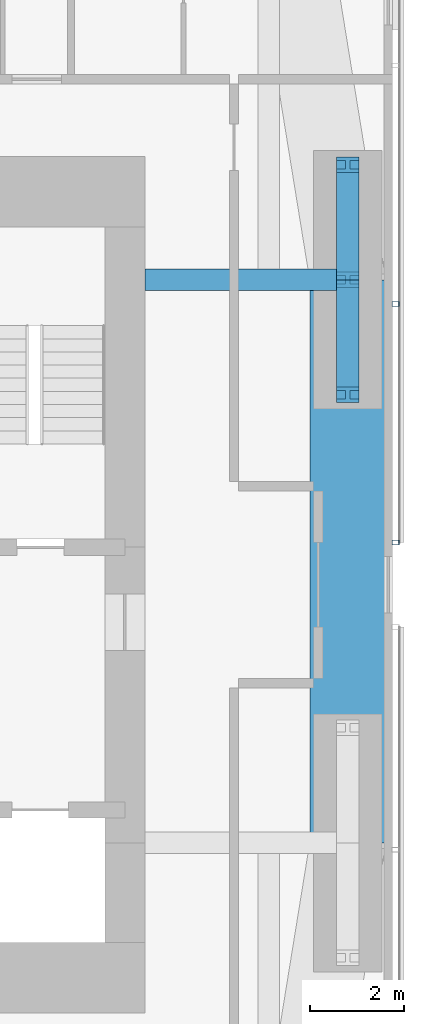
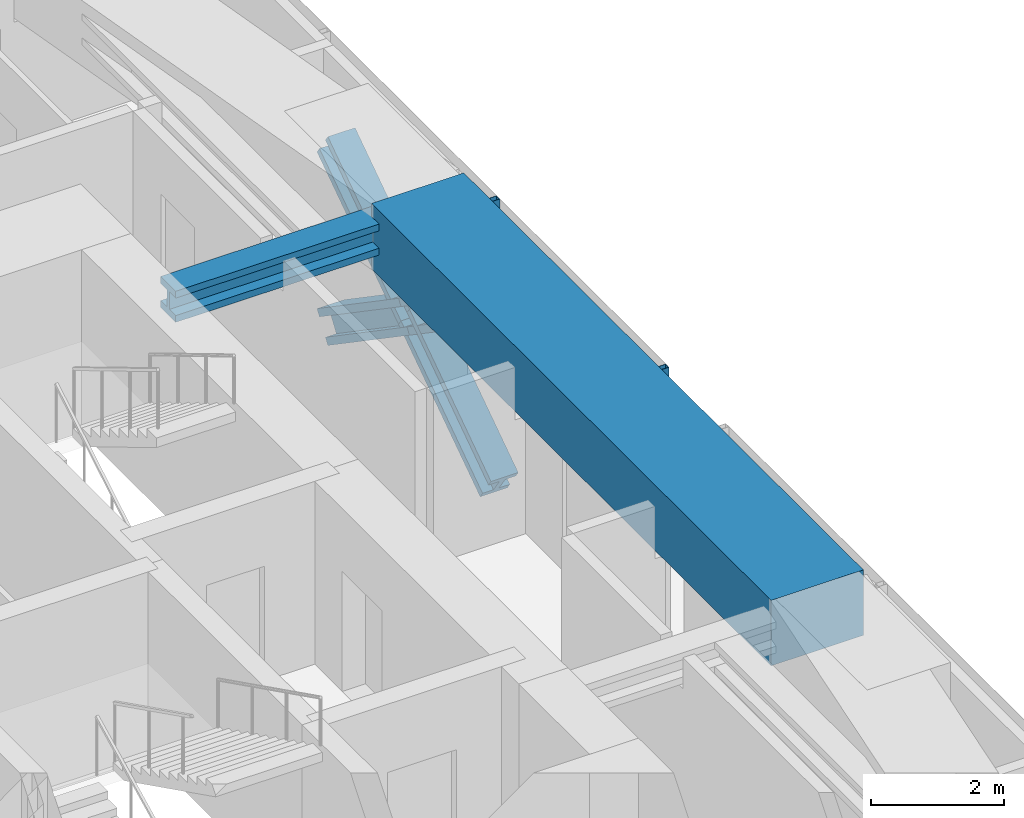
# One storey, part 9 of 24: 6 members, 2 beams, 1 element without a shape of its own.
"""IFC4 building model written with IfcOpenShell, lengths in metres."""

from ifc_helpers import new_model, si_unit, direction, frame, origin, origin_2d, place, context, subcontext, project, spatial, rectangle, hollow_rectangle, i_section, extrude, material, material_profile, profile_set, type_object, element, aggregate, save


model = new_model("IFC4")

# Units and contexts
model_context = context("Model", 3, precision=1e-05, world=origin(), true_north=direction((0.0, 1.0)))
body_context = subcontext(model_context, "Body", "Model", "MODEL_VIEW")
ifc_project = project(units=[si_unit("LENGTHUNIT", "METRE"), si_unit("AREAUNIT", "SQUARE_METRE"), si_unit("VOLUMEUNIT", "CUBIC_METRE"), si_unit("PLANEANGLEUNIT", "RADIAN"), si_unit("MASSUNIT", "GRAM", prefix="KILO")], contexts=[model_context])

# Site, building, storey
site_placement = place(None, origin())
site = spatial("IfcSite", under=ifc_project, at=site_placement, CompositionType="ELEMENT")
building_placement = place(site_placement, origin())
building = spatial("IfcBuilding", under=site, at=building_placement, Name="Jalousie Tower", CompositionType="ELEMENT")
storey_placement = place(building_placement, frame((0.0, 0.0, 91.449951171875)))
storey = spatial("IfcBuildingStorey", under=building, at=storey_placement, Name="L24", CompositionType="ELEMENT", Elevation=91.449951171875)

# Beam
ifc_material_1 = material(Name="Steel ASTM A992 Grade 50", Category="steel")
ifc_material_profile_1 = material_profile(ifc_material_1, i_section(OverallWidth=0.45458984375, OverallDepth=0.569091796875, WebThickness=0.077880859375, FlangeThickness=0.124755859375, at=origin_2d()), Name="W14X730")
ifc_profile_set_1 = profile_set([ifc_material_profile_1], Name="Steel ASTM A992 Grade 50")
beam_type_1 = type_object("IfcBeamType", Name="LEAN COLLECTOR W14X730", PredefinedType="BEAM", material=ifc_profile_set_1)
beam_1_placement = place(storey_placement, frame((48.550048828125, 25.0, 2.825439453125), z_axis=(-1.0, 0.0, 0.0), x_axis=(0.0, -1.0, 0.0)))
element("IfcBeam", 1, at=beam_1_placement, inside=storey, type_object=beam_type_1, Name="Lean collector under L25", PredefinedType="BEAM", context=body_context, shape_type="SweptSolid", body=[
    extrude(i_section(OverallWidth=0.45458984375, OverallDepth=0.569091796875, WebThickness=0.077880859375, FlangeThickness=0.124755859375, at=origin_2d()), origin(), (0.0, 0.0, 1.0), 4.324951171875),
])

# Members
ifc_material_2 = material(Name="Steel ASTM A992 Grade 50", Category="steel")
ifc_material_profile_2 = material_profile(ifc_material_2, i_section(OverallWidth=0.472412109375, OverallDepth=0.5791015625, WebThickness=0.094970703125, FlangeThickness=0.1298828125, at=origin_2d()), Name="W14X808")
ifc_profile_set_2 = profile_set([ifc_material_profile_2], Name="Steel ASTM A992 Grade 50")
member_type_1 = type_object("IfcMemberType", Name="PERIMETER BRACE W14X808", PredefinedType="BRACE", material=ifc_profile_set_2)
for number, where, z_axis, x_axis, name in (
    (2, (48.550048828125, 22.550048828125, -0.599853515625), (0.0, 0.825539243753, 0.564344714713), (-1.0, 0.0, 0.0), "Perimeter brace 07 L24 part 1"),
    (3, (48.550048828125, 25.0, 1.074951171875), (0.0, 0.825500916831, 0.564400776321), (-1.0, 0.0, 0.0), "Perimeter brace 07 L24 part 2"),
    (4, (48.550048828125, 27.449951171875, -0.599853515625), (0.0, -0.825539243753, 0.564344714713), (1.0, 0.0, 0.0), "Perimeter brace 07 L24 part 3"),
    (5, (48.550048828125, 25.0, 1.074951171875), (0.0, -0.825500916831, 0.564400776321), (1.0, 0.0, 0.0), "Perimeter brace 07 L24 part 4"),
):
    element("IfcMember", number, at=place(storey_placement, frame(where, z_axis=z_axis, x_axis=x_axis)), inside=storey, type_object=member_type_1, Name=name, PredefinedType="BRACE", context=body_context, shape_type="SweptSolid", body=[
        extrude(i_section(OverallWidth=0.472412109375, OverallDepth=0.5791015625, WebThickness=0.094970703125, FlangeThickness=0.1298828125, at=origin_2d()), origin(), (0.0, 0.0, 1.0), 2.9677734375),
    ])

# Beam
ifc_material_3 = material(Name="Concrete f'c 40 MPa", Category="concrete")
ifc_material_profile_3 = material_profile(ifc_material_3, rectangle(XDim=1.60009765625, YDim=1.199951171875, at=origin_2d()), Name="RC 1600x1200")
ifc_profile_set_3 = profile_set([ifc_material_profile_3], Name="Concrete f'c 40 MPa")
beam_type_2 = type_object("IfcBeamType", Name="RC BEAM 1600x1200", PredefinedType="BEAM", material=ifc_profile_set_3)
beam_2_placement = place(storey_placement, frame((48.550048828125, 13.0, 2.75), z_axis=(0.0, 1.0, 0.0), x_axis=(-1.0, 0.0, 0.0)))
element("IfcBeam", 6, at=beam_2_placement, inside=storey, type_object=beam_type_2, Name="Edge band beam 06-07 under L25", PredefinedType="BEAM", context=body_context, shape_type="SweptSolid", body=[
    extrude(rectangle(XDim=1.60009765625, YDim=1.199951171875, at=origin_2d()), origin(), (0.0, 0.0, 1.0), 12.0),
])

# Curtain wall, members
ifc_material_4 = material(Name="Perforated aluminium sheet", Category="aluminium")
curtain_wall_type = type_object("IfcCurtainWallType", Name="SOLAR SCREEN SS-1", PredefinedType="USERDEFINED", material=ifc_material_4)
curtain_wall_placement = place(storey_placement, origin())
curtain_wall = element("IfcCurtainWall", 7, at=curtain_wall_placement, inside=storey, type_object=curtain_wall_type, Name="Solar screen L24", ObjectType="SOLAR SCREEN SS-1", PredefinedType="USERDEFINED")
ifc_material_5 = material(Name="Steel ASTM A500 Grade C", Category="steel")
ifc_material_profile_4 = material_profile(ifc_material_5, hollow_rectangle(XDim=0.1015625, YDim=0.15234375, WallThickness=0.00634765625, at=origin_2d()), Name="HSS6X4X1/4")
ifc_profile_set_4 = profile_set([ifc_material_profile_4], Name="Steel ASTM A500 Grade C")
member_type_2 = type_object("IfcMemberType", Name="SOLAR SCREEN SS-1 MULLION", PredefinedType="MULLION", material=ifc_profile_set_4)
member_1_placement = place(storey_placement, frame((49.5712890625, 19.39990234375, -0.119873046875), z_axis=(0.0, 0.0, 1.0), x_axis=(0.0, 1.0, 0.0)))
member_1 = element("IfcMember", 8, at=member_1_placement, type_object=member_type_2, Name="SS1 post 1", PredefinedType="MULLION", context=body_context, shape_type="SweptSolid", body=[
    extrude(hollow_rectangle(XDim=0.1015625, YDim=0.15234375, WallThickness=0.00634765625, at=origin_2d()), origin(), (0.0, 0.0, 1.0), 3.22998046875),
])
member_2_placement = place(storey_placement, frame((49.5712890625, 24.48291015625, -0.119873046875), z_axis=(0.0, 0.0, 1.0), x_axis=(0.0, 1.0, 0.0)))
member_2 = element("IfcMember", 9, at=member_2_placement, type_object=member_type_2, Name="SS1 post 2", PredefinedType="MULLION", context=body_context, shape_type="SweptSolid", body=[
    extrude(hollow_rectangle(XDim=0.1015625, YDim=0.15234375, WallThickness=0.00634765625, at=origin_2d()), origin(), (0.0, 0.0, 1.0), 3.22998046875),
])
aggregate(curtain_wall, [member_1, member_2])

save(model, "model.ifc")
